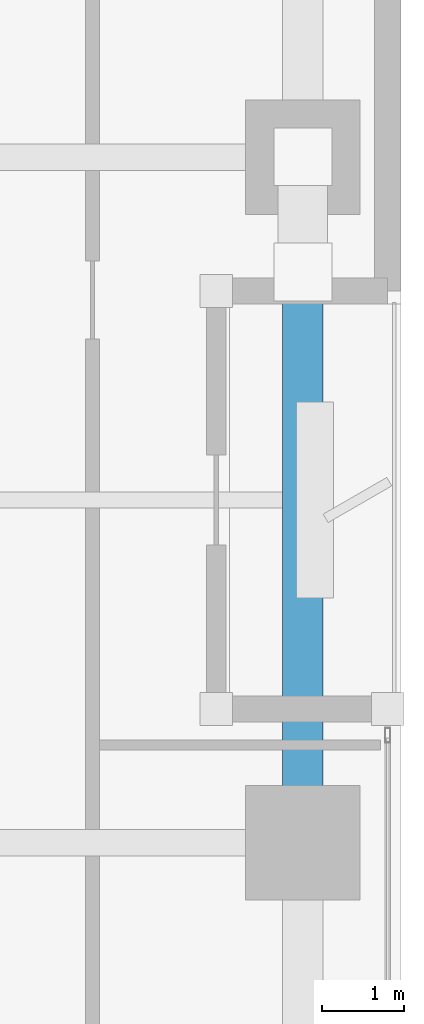
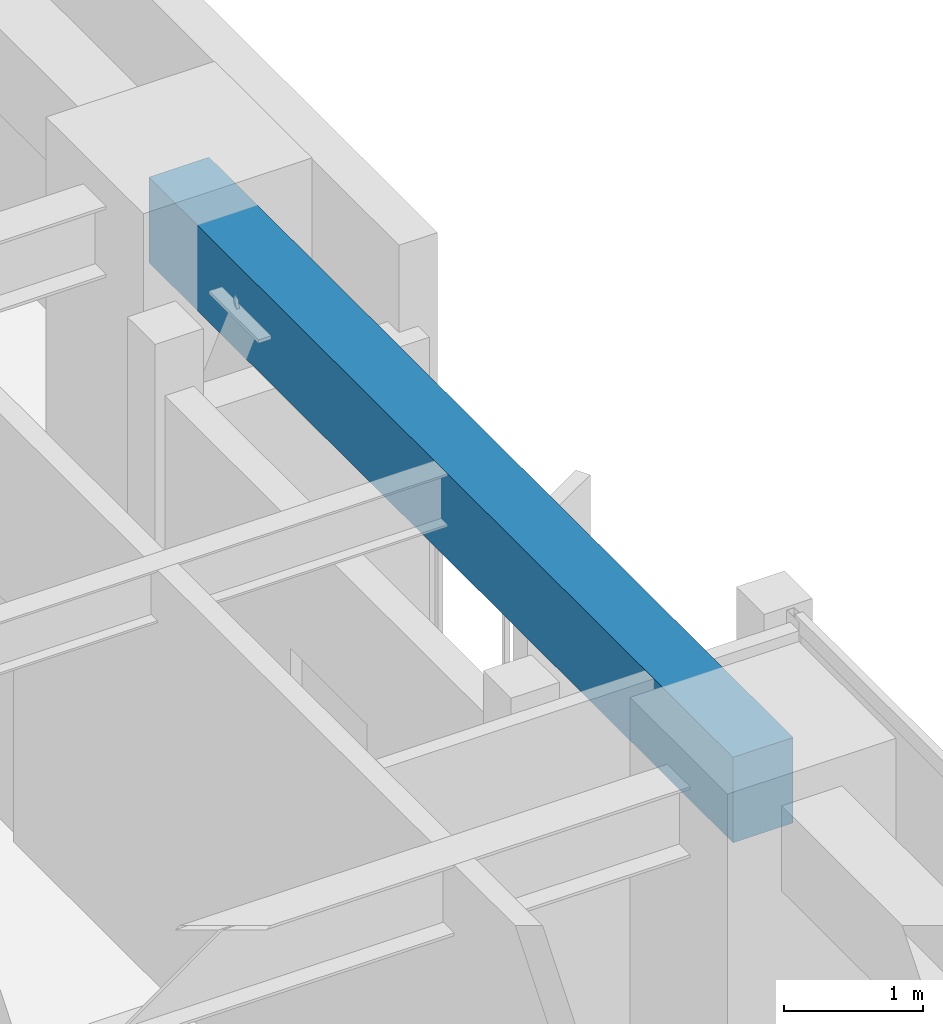
# One storey, part 7 of 24: 1 beam.
"""IFC4 building model written with IfcOpenShell, lengths in metres."""

from ifc_helpers import new_model, si_unit, direction, frame, origin, origin_2d, place, context, subcontext, project, spatial, rectangle, extrude, material, material_profile, profile_set, type_object, element, save


model = new_model("IFC4")

# Units and contexts
model_context = context("Model", 3, precision=1e-05, world=origin(), true_north=direction((0.0, 1.0)))
body_context = subcontext(model_context, "Body", "Model", "MODEL_VIEW")
ifc_project = project(units=[si_unit("LENGTHUNIT", "METRE"), si_unit("AREAUNIT", "SQUARE_METRE"), si_unit("VOLUMEUNIT", "CUBIC_METRE"), si_unit("PLANEANGLEUNIT", "RADIAN"), si_unit("MASSUNIT", "GRAM", prefix="KILO")], contexts=[model_context])

# Site, building, storey
site_placement = place(None, origin())
site = spatial("IfcSite", under=ifc_project, at=site_placement, CompositionType="ELEMENT")
building_placement = place(site_placement, origin())
building = spatial("IfcBuilding", under=site, at=building_placement, Name="Kiyonajd Concourse Tower", CompositionType="ELEMENT")
storey_placement = place(building_placement, frame((0.0, 0.0, 101.39990234375)))
storey = spatial("IfcBuildingStorey", under=building, at=storey_placement, Name="L26", CompositionType="ELEMENT", Elevation=101.39990234375)

# Beam
ifc_material = material(Name="Precast concrete C50/60", Category="concrete")
ifc_material_profile = material_profile(ifc_material, rectangle(XDim=0.5, YDim=0.75, at=origin_2d()), Name="RCBM-500x750")
ifc_profile_set = profile_set([ifc_material_profile], Name="Precast concrete C50/60")
beam_type = type_object("IfcBeamType", Name="BM-SPAN-RC", PredefinedType="SPANDREL", material=ifc_profile_set)
beam_placement = place(storey_placement, frame((69.60009765625, 36.0, 3.26513671875), z_axis=(0.0, 1.0, 0.0), x_axis=(-1.0, 0.0, 0.0)))
element("IfcBeam", 1, at=beam_placement, inside=storey, type_object=beam_type, Name="L26 Perimeter Bundled Tube Spandrel", PredefinedType="SPANDREL", context=body_context, shape_type="SweptSolid", body=[
    extrude(rectangle(XDim=0.5, YDim=0.75, at=origin_2d()), origin(), (0.0, 0.0, 1.0), 8.39990234375),
])

save(model, "model.ifc")
